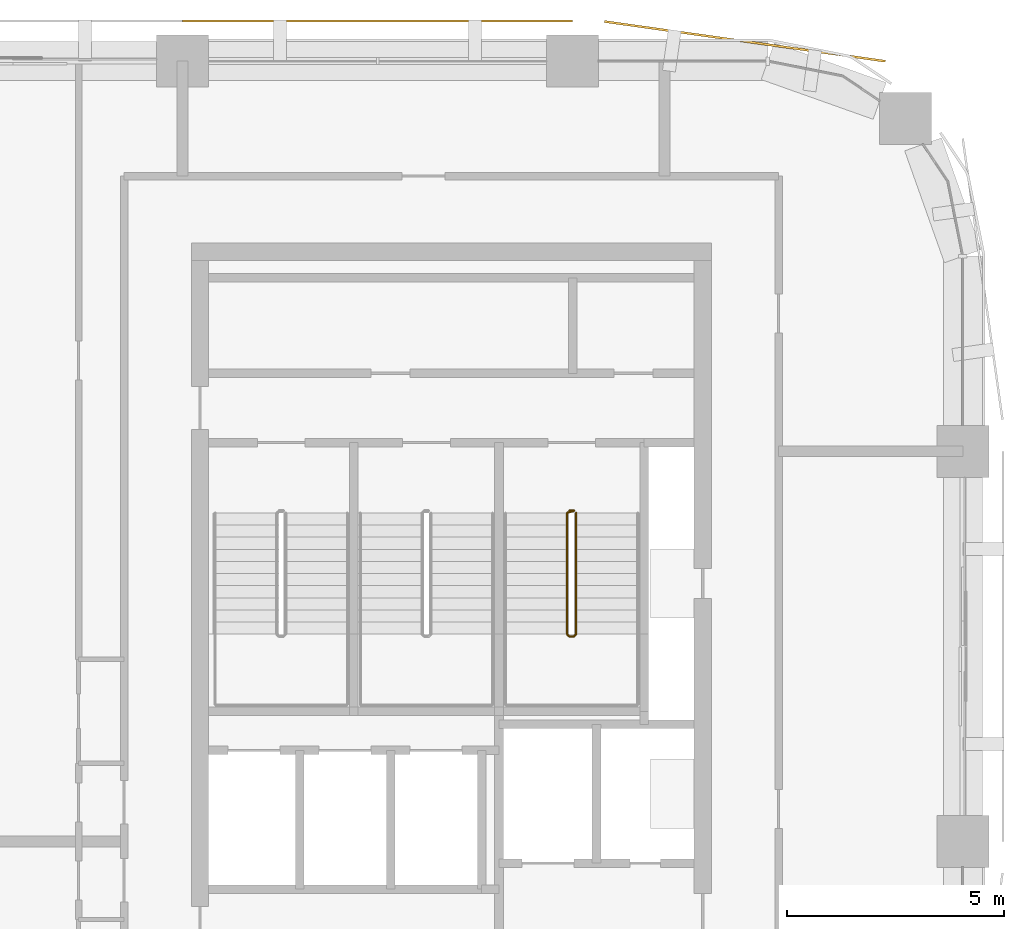
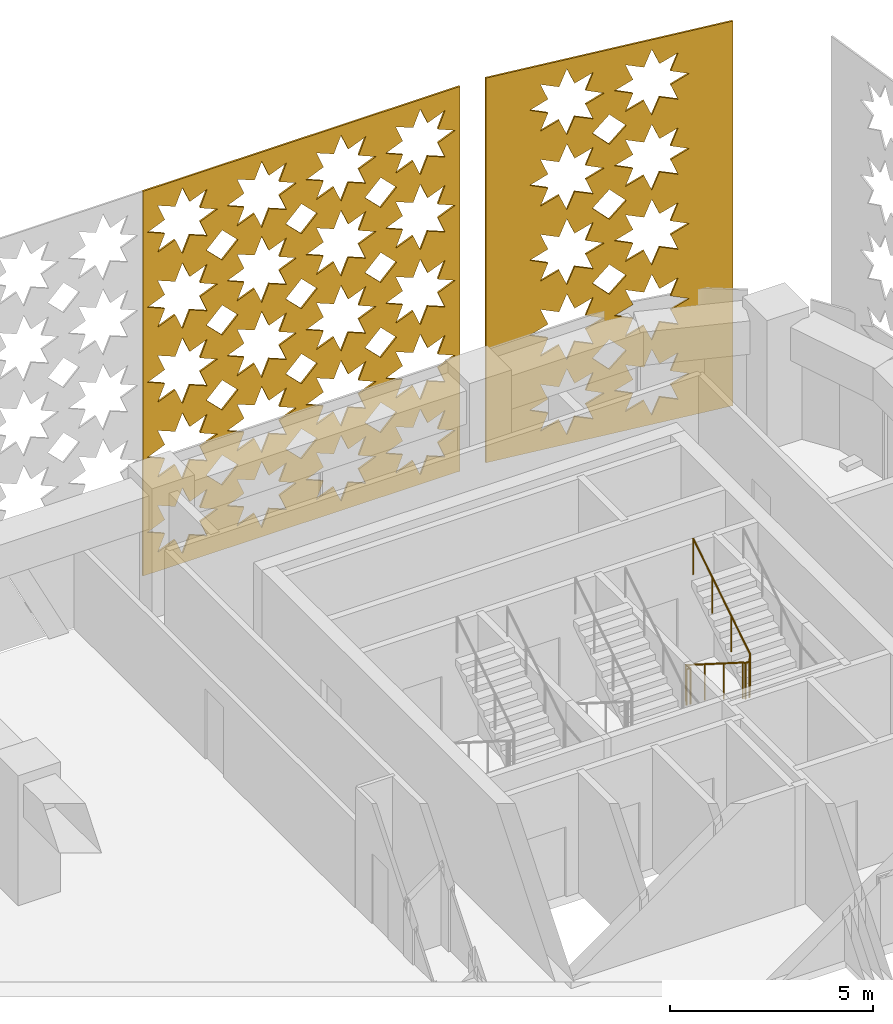
# One storey, part 13 of 14: 2 coverings, 1 railing.
"""IFC4 building model written with IfcOpenShell, lengths in metres."""

from ifc_helpers import new_model, si_unit, direction, frame, origin, origin_2d, place, context, subcontext, project, spatial, polyline, circle, outline, extrude, material, layer, layer_set, type_object, element, save


model = new_model("IFC4")

# Units and contexts
model_context = context("Model", 3, precision=1e-05, world=origin(), true_north=direction((0.0, 1.0)))
body_context = subcontext(model_context, "Body", "Model", "MODEL_VIEW")
ifc_project = project(units=[si_unit("LENGTHUNIT", "METRE"), si_unit("AREAUNIT", "SQUARE_METRE"), si_unit("VOLUMEUNIT", "CUBIC_METRE"), si_unit("PLANEANGLEUNIT", "RADIAN"), si_unit("MASSUNIT", "GRAM", prefix="KILO")], contexts=[model_context])

# Site, building, storey
site_placement = place(None, origin())
site = spatial("IfcSite", under=ifc_project, at=site_placement, CompositionType="ELEMENT")
building_placement = place(site_placement, origin())
building = spatial("IfcBuilding", under=site, at=building_placement, Name="Tessera Arch", CompositionType="ELEMENT")
storey_placement = place(building_placement, frame((0.0, 0.0, 269.60009765625)))
storey = spatial("IfcBuildingStorey", under=building, at=storey_placement, Name="L65", CompositionType="ELEMENT", Elevation=269.60009765625)

# Coverings
ifc_material_1 = material(Name="Anodised aluminium pale metal", Category="aluminium")
ifc_layer_1 = layer(ifc_material_1, 0.050048828125)
ifc_layer_set_1 = layer_set([ifc_layer_1], Name="Pierced screen panel corner bay")
covering_type_1 = type_object("IfcCoveringType", Name="Pierced screen panel corner bay", PredefinedType="CLADDING", material=ifc_layer_set_1)
covering_1_placement = place(storey_placement, frame((52.2080078125, 53.97412109375, 11.699951171875), z_axis=(-0.140074186016, -0.990141011378, 0.0), x_axis=(-0.990141011378, 0.140074186016, 0.0)))
element("IfcCovering", 1, at=covering_1_placement, inside=storey, type_object=covering_type_1, Name="SCREEN pierced panel N54.18/0 L65-L67", PredefinedType="CLADDING", context=body_context, shape_type="SweptSolid", body=[
    extrude(outline(polyline([(0.0, 0.0), (6.546475218445481, 0.0), (6.546475218445481, 11.5400390625), (0.0, 11.5400390625), (0.0, 0.0)]), holes=[polyline([(3.137858409575383, 10.27001953125), (2.6469229422635148, 10.06298828125), (2.8479028079497066, 9.570068359375), (2.354999273675671, 9.77099609375), (2.1478734734576217, 9.280029296875), (1.941990539265672, 9.77099609375), (1.447878336764857, 9.570068359375), (1.6490657382970841, 10.06298828125), (1.15788853733986, 10.27001953125), (1.6490657382970841, 10.47705078125), (1.447878336764857, 10.969970703125), (1.941990539265672, 10.76904296875), (2.1478734734576217, 11.260009765625), (2.354999273675671, 10.76904296875), (2.8479028079497066, 10.969970703125), (2.6469229422635148, 10.47705078125), (3.137858409575383, 10.27001953125)]), polyline([(3.137858409575383, 8.02001953125), (2.6469229422635148, 7.81298828125), (2.8479028079497066, 7.320068359375), (2.354999273675671, 7.52099609375), (2.1478734734576217, 7.030029296875), (1.941990539265672, 7.52099609375), (1.447878336764857, 7.320068359375), (1.6490657382970841, 7.81298828125), (1.15788853733986, 8.02001953125), (1.6490657382970841, 8.22705078125), (1.447878336764857, 8.719970703125), (1.941990539265672, 8.51904296875), (2.1478734734576217, 9.010009765625), (2.354999273675671, 8.51904296875), (2.8479028079497066, 8.719970703125), (2.6469229422635148, 8.22705078125), (3.137858409575383, 8.02001953125)]), polyline([(3.137858409575383, 5.77001953125), (2.6469229422635148, 5.56298828125), (2.8479028079497066, 5.070068359375), (2.354999273675671, 5.27099609375), (2.1478734734576217, 4.780029296875), (1.941990539265672, 5.27099609375), (1.447878336764857, 5.070068359375), (1.6490657382970841, 5.56298828125), (1.15788853733986, 5.77001953125), (1.6490657382970841, 5.97705078125), (1.447878336764857, 6.469970703125), (1.941990539265672, 6.26904296875), (2.1478734734576217, 6.760009765625), (2.354999273675671, 6.26904296875), (2.8479028079497066, 6.469970703125), (2.6469229422635148, 5.97705078125), (3.137858409575383, 5.77001953125)]), polyline([(3.137858409575383, 3.52001953125), (2.6469229422635148, 3.31298828125), (2.8479028079497066, 2.820068359375), (2.354999273675671, 3.02099609375), (2.1478734734576217, 2.530029296875), (1.941990539265672, 3.02099609375), (1.447878336764857, 2.820068359375), (1.6490657382970841, 3.31298828125), (1.15788853733986, 3.52001953125), (1.6490657382970841, 3.72705078125), (1.447878336764857, 4.219970703125), (1.941990539265672, 4.01904296875), (2.1478734734576217, 4.510009765625), (2.354999273675671, 4.01904296875), (2.8479028079497066, 4.219970703125), (2.6469229422635148, 3.72705078125), (3.137858409575383, 3.52001953125)]), polyline([(3.137858409575383, 1.27001953125), (2.6469229422635148, 1.06298828125), (2.8479028079497066, 0.570068359375), (2.354999273675671, 0.77099609375), (2.1478734734576217, 0.280029296875), (1.941990539265672, 0.77099609375), (1.447878336764857, 0.570068359375), (1.6490657382970841, 1.06298828125), (1.15788853733986, 1.27001953125), (1.6490657382970841, 1.47705078125), (1.447878336764857, 1.969970703125), (1.941990539265672, 1.76904296875), (2.1478734734576217, 2.260009765625), (2.354999273675671, 1.76904296875), (2.8479028079497066, 1.969970703125), (2.6469229422635148, 1.47705078125), (3.137858409575383, 1.27001953125)]), polyline([(5.387827282370234, 10.27001953125), (4.896891815058366, 10.06298828125), (5.097871680744557, 9.570068359375), (4.604968146470521, 9.77099609375), (4.397842346252473, 9.280029296875), (4.191959412060523, 9.77099609375), (3.698088943205064, 9.570068359375), (3.899034611091935, 10.06298828125), (3.407857410134711, 10.27001953125), (3.899034611091935, 10.47705078125), (3.698088943205064, 10.969970703125), (4.191959412060523, 10.76904296875), (4.397842346252473, 11.260009765625), (4.604968146470521, 10.76904296875), (5.097871680744557, 10.969970703125), (4.896891815058366, 10.47705078125), (5.387827282370234, 10.27001953125)]), polyline([(5.387827282370234, 8.02001953125), (4.896891815058366, 7.81298828125), (5.097871680744557, 7.320068359375), (4.604968146470521, 7.52099609375), (4.397842346252473, 7.030029296875), (4.191959412060523, 7.52099609375), (3.698088943205064, 7.320068359375), (3.899034611091935, 7.81298828125), (3.407857410134711, 8.02001953125), (3.899034611091935, 8.22705078125), (3.698088943205064, 8.719970703125), (4.191959412060523, 8.51904296875), (4.397842346252473, 9.010009765625), (4.604968146470521, 8.51904296875), (5.097871680744557, 8.719970703125), (4.896891815058366, 8.22705078125), (5.387827282370234, 8.02001953125)]), polyline([(5.387827282370234, 5.77001953125), (4.896891815058366, 5.56298828125), (5.097871680744557, 5.070068359375), (4.604968146470521, 5.27099609375), (4.397842346252473, 4.780029296875), (4.191959412060523, 5.27099609375), (3.698088943205064, 5.070068359375), (3.899034611091935, 5.56298828125), (3.407857410134711, 5.77001953125), (3.899034611091935, 5.97705078125), (3.698088943205064, 6.469970703125), (4.191959412060523, 6.26904296875), (4.397842346252473, 6.760009765625), (4.604968146470521, 6.26904296875), (5.097871680744557, 6.469970703125), (4.896891815058366, 5.97705078125), (5.387827282370234, 5.77001953125)]), polyline([(5.387827282370234, 3.52001953125), (4.896891815058366, 3.31298828125), (5.097871680744557, 2.820068359375), (4.604968146470521, 3.02099609375), (4.397842346252473, 2.530029296875), (4.191959412060523, 3.02099609375), (3.698088943205064, 2.820068359375), (3.899034611091935, 3.31298828125), (3.407857410134711, 3.52001953125), (3.899034611091935, 3.72705078125), (3.698088943205064, 4.219970703125), (4.191959412060523, 4.01904296875), (4.397842346252473, 4.510009765625), (4.604968146470521, 4.01904296875), (5.097871680744557, 4.219970703125), (4.896891815058366, 3.72705078125), (5.387827282370234, 3.52001953125)]), polyline([(5.387827282370234, 1.27001953125), (4.896891815058366, 1.06298828125), (5.097871680744557, 0.570068359375), (4.604968146470521, 0.77099609375), (4.397842346252473, 0.280029296875), (4.191959412060523, 0.77099609375), (3.698088943205064, 0.570068359375), (3.899034611091935, 1.06298828125), (3.407857410134711, 1.27001953125), (3.899034611091935, 1.47705078125), (3.698088943205064, 1.969970703125), (4.191959412060523, 1.76904296875), (4.397842346252473, 2.260009765625), (4.604968146470521, 1.76904296875), (5.097871680744557, 1.969970703125), (4.896891815058366, 1.47705078125), (5.387827282370234, 1.27001953125)]), polyline([(3.7229828105764913, 9.14501953125), (3.2729958755773856, 8.695068359375), (2.8229747427789587, 9.14501953125), (3.2729958755773856, 9.594970703125), (3.7229828105764913, 9.14501953125)]), polyline([(3.7229828105764913, 6.89501953125), (3.2729958755773856, 6.445068359375), (2.8229747427789587, 6.89501953125), (3.2729958755773856, 7.344970703125), (3.7229828105764913, 6.89501953125)]), polyline([(3.7229828105764913, 4.64501953125), (3.2729958755773856, 4.195068359375), (2.8229747427789587, 4.64501953125), (3.2729958755773856, 5.094970703125), (3.7229828105764913, 4.64501953125)]), polyline([(3.7229828105764913, 2.39501953125), (3.2729958755773856, 1.945068359375), (2.8229747427789587, 2.39501953125), (3.2729958755773856, 2.844970703125), (3.7229828105764913, 2.39501953125)])]), origin(), (0.0, 0.0, -1.0), 0.050048828125),
])
ifc_material_2 = material(Name="Anodised aluminium pale metal", Category="aluminium")
ifc_layer_2 = layer(ifc_material_2, 0.050048828125)
ifc_layer_set_2 = layer_set([ifc_layer_2], Name="Pierced screen panel straight bay")
covering_type_2 = type_object("IfcCoveringType", Name="Pierced screen panel straight bay", PredefinedType="CLADDING", material=ifc_layer_set_2)
covering_2_placement = place(storey_placement, frame((45.0, 54.89990234375, 11.699951171875), z_axis=(0.0, -1.0, 0.0), x_axis=(-1.0, 0.0, 0.0)))
element("IfcCovering", 2, at=covering_2_placement, inside=storey, type_object=covering_type_2, Name="SCREEN pierced panel N54.18/1 L65-L67", PredefinedType="CLADDING", context=body_context, shape_type="SweptSolid", body=[
    extrude(outline(polyline([(0.0, 0.0), (9.0, 0.0), (9.0, 11.5400390625), (0.0, 11.5400390625), (0.0, 0.0)]), holes=[polyline([(2.114990234375, 10.27001953125), (1.6240234375, 10.06298828125), (1.824951171875, 9.570068359375), (1.33203125, 9.77099609375), (1.125, 9.280029296875), (0.91796875, 9.77099609375), (0.425048828125, 9.570068359375), (0.6259765625, 10.06298828125), (0.135009765625, 10.27001953125), (0.6259765625, 10.47705078125), (0.425048828125, 10.969970703125), (0.91796875, 10.76904296875), (1.125, 11.260009765625), (1.33203125, 10.76904296875), (1.824951171875, 10.969970703125), (1.6240234375, 10.47705078125), (2.114990234375, 10.27001953125)]), polyline([(2.114990234375, 8.02001953125), (1.6240234375, 7.81298828125), (1.824951171875, 7.320068359375), (1.33203125, 7.52099609375), (1.125, 7.030029296875), (0.91796875, 7.52099609375), (0.425048828125, 7.320068359375), (0.6259765625, 7.81298828125), (0.135009765625, 8.02001953125), (0.6259765625, 8.22705078125), (0.425048828125, 8.719970703125), (0.91796875, 8.51904296875), (1.125, 9.010009765625), (1.33203125, 8.51904296875), (1.824951171875, 8.719970703125), (1.6240234375, 8.22705078125), (2.114990234375, 8.02001953125)]), polyline([(2.114990234375, 5.77001953125), (1.6240234375, 5.56298828125), (1.824951171875, 5.070068359375), (1.33203125, 5.27099609375), (1.125, 4.780029296875), (0.91796875, 5.27099609375), (0.425048828125, 5.070068359375), (0.6259765625, 5.56298828125), (0.135009765625, 5.77001953125), (0.6259765625, 5.97705078125), (0.425048828125, 6.469970703125), (0.91796875, 6.26904296875), (1.125, 6.760009765625), (1.33203125, 6.26904296875), (1.824951171875, 6.469970703125), (1.6240234375, 5.97705078125), (2.114990234375, 5.77001953125)]), polyline([(2.114990234375, 3.52001953125), (1.6240234375, 3.31298828125), (1.824951171875, 2.820068359375), (1.33203125, 3.02099609375), (1.125, 2.530029296875), (0.91796875, 3.02099609375), (0.425048828125, 2.820068359375), (0.6259765625, 3.31298828125), (0.135009765625, 3.52001953125), (0.6259765625, 3.72705078125), (0.425048828125, 4.219970703125), (0.91796875, 4.01904296875), (1.125, 4.510009765625), (1.33203125, 4.01904296875), (1.824951171875, 4.219970703125), (1.6240234375, 3.72705078125), (2.114990234375, 3.52001953125)]), polyline([(2.114990234375, 1.27001953125), (1.6240234375, 1.06298828125), (1.824951171875, 0.570068359375), (1.33203125, 0.77099609375), (1.125, 0.280029296875), (0.91796875, 0.77099609375), (0.425048828125, 0.570068359375), (0.6259765625, 1.06298828125), (0.135009765625, 1.27001953125), (0.6259765625, 1.47705078125), (0.425048828125, 1.969970703125), (0.91796875, 1.76904296875), (1.125, 2.260009765625), (1.33203125, 1.76904296875), (1.824951171875, 1.969970703125), (1.6240234375, 1.47705078125), (2.114990234375, 1.27001953125)]), polyline([(4.364990234375, 10.27001953125), (3.8740234375, 10.06298828125), (4.074951171875, 9.570068359375), (3.58203125, 9.77099609375), (3.375, 9.280029296875), (3.16796875, 9.77099609375), (2.675048828125, 9.570068359375), (2.8759765625, 10.06298828125), (2.385009765625, 10.27001953125), (2.8759765625, 10.47705078125), (2.675048828125, 10.969970703125), (3.16796875, 10.76904296875), (3.375, 11.260009765625), (3.58203125, 10.76904296875), (4.074951171875, 10.969970703125), (3.8740234375, 10.47705078125), (4.364990234375, 10.27001953125)]), polyline([(4.364990234375, 8.02001953125), (3.8740234375, 7.81298828125), (4.074951171875, 7.320068359375), (3.58203125, 7.52099609375), (3.375, 7.030029296875), (3.16796875, 7.52099609375), (2.675048828125, 7.320068359375), (2.8759765625, 7.81298828125), (2.385009765625, 8.02001953125), (2.8759765625, 8.22705078125), (2.675048828125, 8.719970703125), (3.16796875, 8.51904296875), (3.375, 9.010009765625), (3.58203125, 8.51904296875), (4.074951171875, 8.719970703125), (3.8740234375, 8.22705078125), (4.364990234375, 8.02001953125)]), polyline([(4.364990234375, 5.77001953125), (3.8740234375, 5.56298828125), (4.074951171875, 5.070068359375), (3.58203125, 5.27099609375), (3.375, 4.780029296875), (3.16796875, 5.27099609375), (2.675048828125, 5.070068359375), (2.8759765625, 5.56298828125), (2.385009765625, 5.77001953125), (2.8759765625, 5.97705078125), (2.675048828125, 6.469970703125), (3.16796875, 6.26904296875), (3.375, 6.760009765625), (3.58203125, 6.26904296875), (4.074951171875, 6.469970703125), (3.8740234375, 5.97705078125), (4.364990234375, 5.77001953125)]), polyline([(4.364990234375, 3.52001953125), (3.8740234375, 3.31298828125), (4.074951171875, 2.820068359375), (3.58203125, 3.02099609375), (3.375, 2.530029296875), (3.16796875, 3.02099609375), (2.675048828125, 2.820068359375), (2.8759765625, 3.31298828125), (2.385009765625, 3.52001953125), (2.8759765625, 3.72705078125), (2.675048828125, 4.219970703125), (3.16796875, 4.01904296875), (3.375, 4.510009765625), (3.58203125, 4.01904296875), (4.074951171875, 4.219970703125), (3.8740234375, 3.72705078125), (4.364990234375, 3.52001953125)]), polyline([(4.364990234375, 1.27001953125), (3.8740234375, 1.06298828125), (4.074951171875, 0.570068359375), (3.58203125, 0.77099609375), (3.375, 0.280029296875), (3.16796875, 0.77099609375), (2.675048828125, 0.570068359375), (2.8759765625, 1.06298828125), (2.385009765625, 1.27001953125), (2.8759765625, 1.47705078125), (2.675048828125, 1.969970703125), (3.16796875, 1.76904296875), (3.375, 2.260009765625), (3.58203125, 1.76904296875), (4.074951171875, 1.969970703125), (3.8740234375, 1.47705078125), (4.364990234375, 1.27001953125)]), polyline([(6.614990234375, 10.27001953125), (6.1240234375, 10.06298828125), (6.324951171875, 9.570068359375), (5.83203125, 9.77099609375), (5.625, 9.280029296875), (5.41796875, 9.77099609375), (4.925048828125, 9.570068359375), (5.1259765625, 10.06298828125), (4.635009765625, 10.27001953125), (5.1259765625, 10.47705078125), (4.925048828125, 10.969970703125), (5.41796875, 10.76904296875), (5.625, 11.260009765625), (5.83203125, 10.76904296875), (6.324951171875, 10.969970703125), (6.1240234375, 10.47705078125), (6.614990234375, 10.27001953125)]), polyline([(6.614990234375, 8.02001953125), (6.1240234375, 7.81298828125), (6.324951171875, 7.320068359375), (5.83203125, 7.52099609375), (5.625, 7.030029296875), (5.41796875, 7.52099609375), (4.925048828125, 7.320068359375), (5.1259765625, 7.81298828125), (4.635009765625, 8.02001953125), (5.1259765625, 8.22705078125), (4.925048828125, 8.719970703125), (5.41796875, 8.51904296875), (5.625, 9.010009765625), (5.83203125, 8.51904296875), (6.324951171875, 8.719970703125), (6.1240234375, 8.22705078125), (6.614990234375, 8.02001953125)]), polyline([(6.614990234375, 5.77001953125), (6.1240234375, 5.56298828125), (6.324951171875, 5.070068359375), (5.83203125, 5.27099609375), (5.625, 4.780029296875), (5.41796875, 5.27099609375), (4.925048828125, 5.070068359375), (5.1259765625, 5.56298828125), (4.635009765625, 5.77001953125), (5.1259765625, 5.97705078125), (4.925048828125, 6.469970703125), (5.41796875, 6.26904296875), (5.625, 6.760009765625), (5.83203125, 6.26904296875), (6.324951171875, 6.469970703125), (6.1240234375, 5.97705078125), (6.614990234375, 5.77001953125)]), polyline([(6.614990234375, 3.52001953125), (6.1240234375, 3.31298828125), (6.324951171875, 2.820068359375), (5.83203125, 3.02099609375), (5.625, 2.530029296875), (5.41796875, 3.02099609375), (4.925048828125, 2.820068359375), (5.1259765625, 3.31298828125), (4.635009765625, 3.52001953125), (5.1259765625, 3.72705078125), (4.925048828125, 4.219970703125), (5.41796875, 4.01904296875), (5.625, 4.510009765625), (5.83203125, 4.01904296875), (6.324951171875, 4.219970703125), (6.1240234375, 3.72705078125), (6.614990234375, 3.52001953125)]), polyline([(6.614990234375, 1.27001953125), (6.1240234375, 1.06298828125), (6.324951171875, 0.570068359375), (5.83203125, 0.77099609375), (5.625, 0.280029296875), (5.41796875, 0.77099609375), (4.925048828125, 0.570068359375), (5.1259765625, 1.06298828125), (4.635009765625, 1.27001953125), (5.1259765625, 1.47705078125), (4.925048828125, 1.969970703125), (5.41796875, 1.76904296875), (5.625, 2.260009765625), (5.83203125, 1.76904296875), (6.324951171875, 1.969970703125), (6.1240234375, 1.47705078125), (6.614990234375, 1.27001953125)]), polyline([(8.864990234375, 10.27001953125), (8.3740234375, 10.06298828125), (8.574951171875, 9.570068359375), (8.08203125, 9.77099609375), (7.875, 9.280029296875), (7.66796875, 9.77099609375), (7.175048828125, 9.570068359375), (7.3759765625, 10.06298828125), (6.885009765625, 10.27001953125), (7.3759765625, 10.47705078125), (7.175048828125, 10.969970703125), (7.66796875, 10.76904296875), (7.875, 11.260009765625), (8.08203125, 10.76904296875), (8.574951171875, 10.969970703125), (8.3740234375, 10.47705078125), (8.864990234375, 10.27001953125)]), polyline([(8.864990234375, 8.02001953125), (8.3740234375, 7.81298828125), (8.574951171875, 7.320068359375), (8.08203125, 7.52099609375), (7.875, 7.030029296875), (7.66796875, 7.52099609375), (7.175048828125, 7.320068359375), (7.3759765625, 7.81298828125), (6.885009765625, 8.02001953125), (7.3759765625, 8.22705078125), (7.175048828125, 8.719970703125), (7.66796875, 8.51904296875), (7.875, 9.010009765625), (8.08203125, 8.51904296875), (8.574951171875, 8.719970703125), (8.3740234375, 8.22705078125), (8.864990234375, 8.02001953125)]), polyline([(8.864990234375, 5.77001953125), (8.3740234375, 5.56298828125), (8.574951171875, 5.070068359375), (8.08203125, 5.27099609375), (7.875, 4.780029296875), (7.66796875, 5.27099609375), (7.175048828125, 5.070068359375), (7.3759765625, 5.56298828125), (6.885009765625, 5.77001953125), (7.3759765625, 5.97705078125), (7.175048828125, 6.469970703125), (7.66796875, 6.26904296875), (7.875, 6.760009765625), (8.08203125, 6.26904296875), (8.574951171875, 6.469970703125), (8.3740234375, 5.97705078125), (8.864990234375, 5.77001953125)]), polyline([(8.864990234375, 3.52001953125), (8.3740234375, 3.31298828125), (8.574951171875, 2.820068359375), (8.08203125, 3.02099609375), (7.875, 2.530029296875), (7.66796875, 3.02099609375), (7.175048828125, 2.820068359375), (7.3759765625, 3.31298828125), (6.885009765625, 3.52001953125), (7.3759765625, 3.72705078125), (7.175048828125, 4.219970703125), (7.66796875, 4.01904296875), (7.875, 4.510009765625), (8.08203125, 4.01904296875), (8.574951171875, 4.219970703125), (8.3740234375, 3.72705078125), (8.864990234375, 3.52001953125)]), polyline([(8.864990234375, 1.27001953125), (8.3740234375, 1.06298828125), (8.574951171875, 0.570068359375), (8.08203125, 0.77099609375), (7.875, 0.280029296875), (7.66796875, 0.77099609375), (7.175048828125, 0.570068359375), (7.3759765625, 1.06298828125), (6.885009765625, 1.27001953125), (7.3759765625, 1.47705078125), (7.175048828125, 1.969970703125), (7.66796875, 1.76904296875), (7.875, 2.260009765625), (8.08203125, 1.76904296875), (8.574951171875, 1.969970703125), (8.3740234375, 1.47705078125), (8.864990234375, 1.27001953125)]), polyline([(2.699951171875, 9.14501953125), (2.25, 8.695068359375), (1.800048828125, 9.14501953125), (2.25, 9.594970703125), (2.699951171875, 9.14501953125)]), polyline([(2.699951171875, 6.89501953125), (2.25, 6.445068359375), (1.800048828125, 6.89501953125), (2.25, 7.344970703125), (2.699951171875, 6.89501953125)]), polyline([(2.699951171875, 4.64501953125), (2.25, 4.195068359375), (1.800048828125, 4.64501953125), (2.25, 5.094970703125), (2.699951171875, 4.64501953125)]), polyline([(2.699951171875, 2.39501953125), (2.25, 1.945068359375), (1.800048828125, 2.39501953125), (2.25, 2.844970703125), (2.699951171875, 2.39501953125)]), polyline([(4.949951171875, 9.14501953125), (4.5, 8.695068359375), (4.050048828125, 9.14501953125), (4.5, 9.594970703125), (4.949951171875, 9.14501953125)]), polyline([(4.949951171875, 6.89501953125), (4.5, 6.445068359375), (4.050048828125, 6.89501953125), (4.5, 7.344970703125), (4.949951171875, 6.89501953125)]), polyline([(4.949951171875, 4.64501953125), (4.5, 4.195068359375), (4.050048828125, 4.64501953125), (4.5, 5.094970703125), (4.949951171875, 4.64501953125)]), polyline([(4.949951171875, 2.39501953125), (4.5, 1.945068359375), (4.050048828125, 2.39501953125), (4.5, 2.844970703125), (4.949951171875, 2.39501953125)]), polyline([(7.199951171875, 9.14501953125), (6.75, 8.695068359375), (6.300048828125, 9.14501953125), (6.75, 9.594970703125), (7.199951171875, 9.14501953125)]), polyline([(7.199951171875, 6.89501953125), (6.75, 6.445068359375), (6.300048828125, 6.89501953125), (6.75, 7.344970703125), (7.199951171875, 6.89501953125)]), polyline([(7.199951171875, 4.64501953125), (6.75, 4.195068359375), (6.300048828125, 4.64501953125), (6.75, 5.094970703125), (7.199951171875, 4.64501953125)]), polyline([(7.199951171875, 2.39501953125), (6.75, 1.945068359375), (6.300048828125, 2.39501953125), (6.75, 2.844970703125), (7.199951171875, 2.39501953125)])]), origin(), (0.0, 0.0, -1.0), 0.050048828125),
])

# Railing
ifc_material_3 = material(Name="Painted steel balustrade", Category="steel")
railing_type = type_object("IfcRailingType", Name="Stair guard 1100", PredefinedType="GUARDRAIL", material=ifc_material_3)
railing_placement = place(storey_placement, frame((44.919921875, 43.6298828125, 0.0)))
element("IfcRailing", 3, at=railing_placement, inside=storey, type_object=railing_type, Name="L65 S1c stair guard 1", PredefinedType="GUARDRAIL", context=body_context, shape_type="SweptSolid", body=[
    extrude(circle(Radius=0.02392578125, at=origin_2d()), frame((-0.00390625, 0.0, 1.076171875), z_axis=(1.0, 0.0, 0.0), x_axis=(0.0, 1.0, 0.0)), (0.0, 0.0, 1.0), 0.1181640625),
    extrude(circle(Radius=0.02392578125, at=origin_2d()), frame((0.11279296875, 0.000732421875, 1.0732421875), z_axis=(-0.65574896516, -0.204233265485, 0.726830150696), x_axis=(0.297361876254, -0.954764847777, 0.0)), (0.0, 0.0, 1.0), 0.251953125),
    extrude(circle(Radius=0.02392578125, at=origin_2d()), frame((-0.0498046875, -0.04638671875, 1.251220703125), z_axis=(0.0, -0.844908973607, 0.534910110503), x_axis=(1.0, 0.0, 0.0)), (0.0, 0.0, 1.0), 3.322021484375),
    extrude(circle(Radius=0.02392578125, at=origin_2d()), frame((-0.052734375, -2.846923828125, 3.02587890625), z_axis=(0.705375805398, -0.708833529934, 0.0), x_axis=(0.708833529934, 0.705375805398, 0.0)), (0.0, 0.0, 1.0), 0.07861328125),
    extrude(circle(Radius=0.02392578125, at=origin_2d()), frame((-0.00390625, -2.89990234375, 3.02587890625), z_axis=(1.0, 0.0, 0.0), x_axis=(0.0, 1.0, 0.0)), (0.0, 0.0, 1.0), 0.1181640625),
    extrude(circle(Radius=0.02392578125, at=origin_2d()), frame((0.109130859375, -2.90087890625, 3.022216796875), z_axis=(0.262233686654, 0.262233686654, 0.928691007369), x_axis=(-0.707106781187, 0.707106781187, 0.0)), (0.0, 0.0, 1.0), 0.198974609375),
    extrude(circle(Radius=0.02392578125, at=origin_2d()), frame((0.16015625, -2.853271484375, 3.201171875), z_axis=(0.0, 0.844908973607, 0.534910110503), x_axis=(-1.0, 0.0, 0.0)), (0.0, 0.0, 1.0), 3.322021484375),
    extrude(circle(Radius=0.02099609375, at=origin_2d()), origin(), (0.0, 0.0, 1.0), 1.06396484375),
    extrude(circle(Radius=0.02099609375, at=origin_2d()), frame((0.110107421875, 0.0, 0.0)), (0.0, 0.0, 1.0), 1.06396484375),
    extrude(circle(Radius=0.02099609375, at=origin_2d()), frame((-0.0498046875, -0.0498046875, 0.17724609375)), (0.0, 0.0, 1.0), 1.06396484375),
    extrude(circle(Radius=0.02099609375, at=origin_2d()), frame((-0.0498046875, -0.983154296875, 0.76806640625)), (0.0, 0.0, 1.0), 1.06396484375),
    extrude(circle(Radius=0.02099609375, at=origin_2d()), frame((-0.0498046875, -1.91650390625, 1.359130859375)), (0.0, 0.0, 1.0), 1.06396484375),
    extrude(circle(Radius=0.02099609375, at=origin_2d()), frame((-0.0498046875, -2.849853515625, 1.949951171875)), (0.0, 0.0, 1.0), 1.06396484375),
    extrude(circle(Radius=0.02099609375, at=origin_2d()), frame((0.0, -2.89990234375, 1.949951171875)), (0.0, 0.0, 1.0), 1.06396484375),
    extrude(circle(Radius=0.02099609375, at=origin_2d()), frame((0.110107421875, -2.89990234375, 1.949951171875)), (0.0, 0.0, 1.0), 1.06396484375),
    extrude(circle(Radius=0.02099609375, at=origin_2d()), frame((0.16015625, -2.849853515625, 2.127197265625)), (0.0, 0.0, 1.0), 1.06396484375),
    extrude(circle(Radius=0.02099609375, at=origin_2d()), frame((0.16015625, -1.91650390625, 2.718017578125)), (0.0, 0.0, 1.0), 1.06396484375),
    extrude(circle(Radius=0.02099609375, at=origin_2d()), frame((0.16015625, -0.983154296875, 3.30908203125)), (0.0, 0.0, 1.0), 1.06396484375),
    extrude(circle(Radius=0.02099609375, at=origin_2d()), frame((0.16015625, -0.0498046875, 3.89990234375)), (0.0, 0.0, 1.0), 1.06396484375),
])

save(model, "model.ifc")
